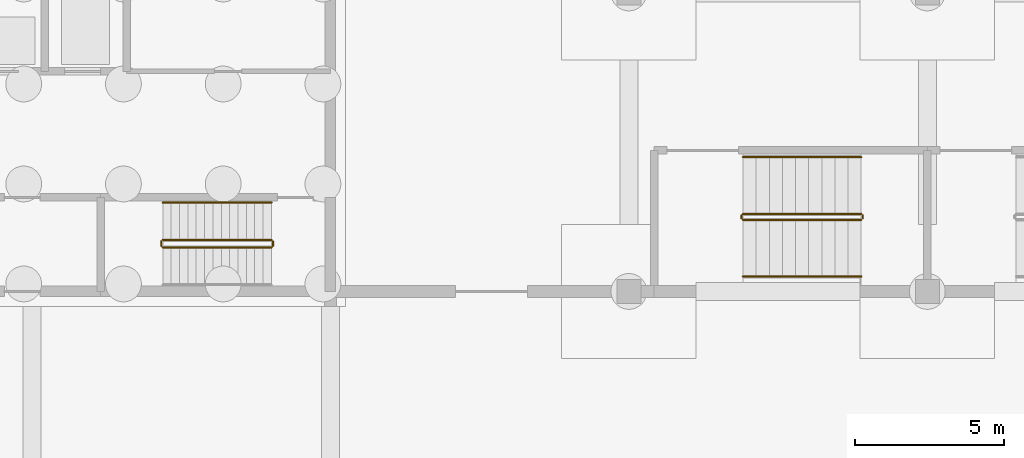
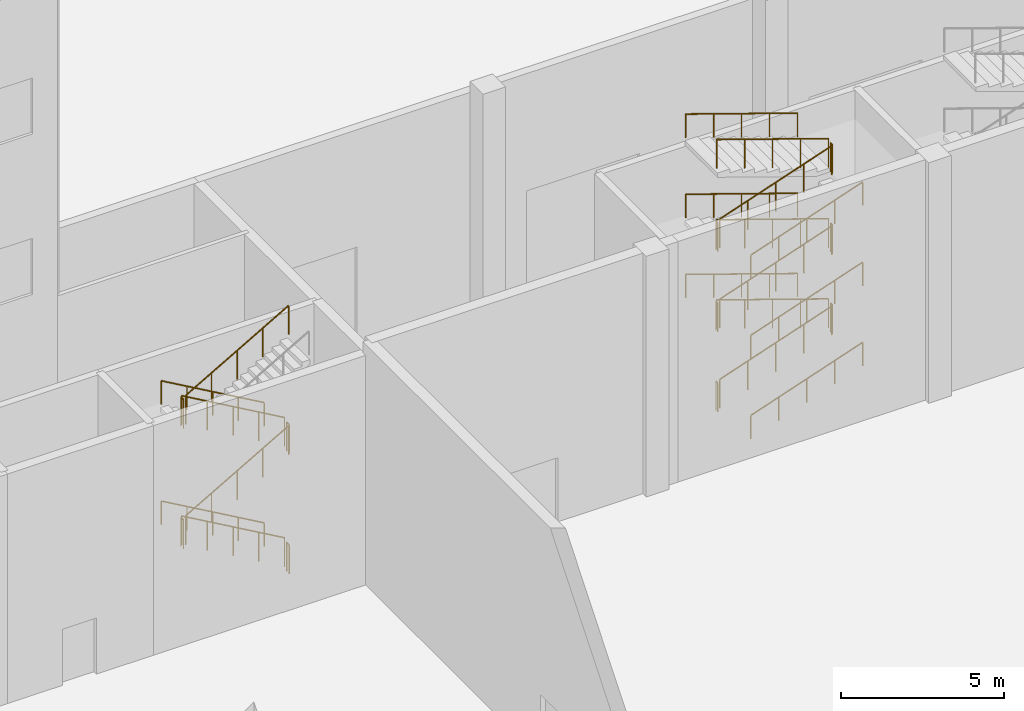
# One storey, part 60 of 63: 28 railings.
"""IFC4 building model written with IfcOpenShell, lengths in metres."""

from ifc_helpers import new_model, si_unit, direction, frame, origin, origin_2d, place, context, subcontext, project, spatial, circle, extrude, material, type_object, element, save


model = new_model("IFC4")

# Units and contexts
model_context = context("Model", 3, precision=1e-05, world=origin(), true_north=direction((0.0, 1.0)))
body_context = subcontext(model_context, "Body", "Model", "MODEL_VIEW")
ifc_project = project(units=[si_unit("LENGTHUNIT", "METRE"), si_unit("AREAUNIT", "SQUARE_METRE"), si_unit("VOLUMEUNIT", "CUBIC_METRE"), si_unit("PLANEANGLEUNIT", "RADIAN"), si_unit("MASSUNIT", "GRAM", prefix="KILO")], contexts=[model_context])

# Site, building, storey
site_placement = place(None, origin())
site = spatial("IfcSite", under=ifc_project, at=site_placement, CompositionType="ELEMENT")
building_placement = place(site_placement, origin())
building = spatial("IfcBuilding", under=site, at=building_placement, Name="Jabali Bay Hotel Tower and Convention Centre", CompositionType="ELEMENT")
storey_placement = place(building_placement, origin())
storey = spatial("IfcBuildingStorey", under=building, at=storey_placement, Name="L00", CompositionType="ELEMENT", Elevation=0.0)

# Railings
ifc_material = material(Name="Stainless steel 304", Category="steel")
railing_type_1 = type_object("IfcRailingType", Name="CC Stair Guard 1100", PredefinedType="GUARDRAIL", material=ifc_material)
railing_1_placement = place(storey_placement, frame((168.72509765625, 101.72509765625, 0.16064453125)))
element("IfcRailing", 1, at=railing_1_placement, inside=storey, type_object=railing_type_1, Name="L00 CC-STWB stair guard 1", PredefinedType="GUARDRAIL", context=body_context, shape_type="SweptSolid", body=[
    extrude(circle(Radius=0.02392578125, at=origin_2d()), frame((0.0, 0.0, 1.076171875), z_axis=(-0.867289372828, 0.0, 0.497804322781), x_axis=(0.0, -1.0, 0.0)), (0.0, 0.0, 1.0), 4.197021484375),
    extrude(circle(Radius=0.02099609375, at=origin_2d()), origin(), (0.0, 0.0, 1.0), 1.052001953125),
    extrude(circle(Radius=0.02099609375, at=origin_2d()), frame((-0.91015625, 0.0, 0.5224609375)), (0.0, 0.0, 1.0), 1.052001953125),
    extrude(circle(Radius=0.02099609375, at=origin_2d()), frame((-1.820068359375, 0.0, 1.044677734375)), (0.0, 0.0, 1.0), 1.052001953125),
    extrude(circle(Radius=0.02099609375, at=origin_2d()), frame((-2.72998046875, 0.0, 1.56689453125)), (0.0, 0.0, 1.0), 1.052001953125),
    extrude(circle(Radius=0.02099609375, at=origin_2d()), frame((-3.64013671875, 0.0, 2.08935546875)), (0.0, 0.0, 1.0), 1.052001953125),
])
railing_2_placement = place(storey_placement, frame((165.034912109375, 101.675048828125, 2.25)))
element("IfcRailing", 2, at=railing_2_placement, inside=storey, type_object=railing_type_1, Name="L00 CC-STWB stair guard 2", PredefinedType="GUARDRAIL", context=body_context, shape_type="SweptSolid", body=[
    extrude(circle(Radius=0.02392578125, at=origin_2d()), frame((0.0, 0.0, 1.076171875), z_axis=(0.0, -1.0, 0.0), x_axis=(1.0, 0.0, 0.0)), (0.0, 0.0, 1.0), 0.150146484375),
    extrude(circle(Radius=0.02099609375, at=origin_2d()), origin(), (0.0, 0.0, 1.0), 1.052001953125),
    extrude(circle(Radius=0.02099609375, at=origin_2d()), frame((0.0, -0.150146484375, 0.0)), (0.0, 0.0, 1.0), 1.052001953125),
])
railing_3_placement = place(storey_placement, frame((165.0849609375, 101.47509765625, 2.41064453125)))
element("IfcRailing", 3, at=railing_3_placement, inside=storey, type_object=railing_type_1, Name="L00 CC-STWB stair guard 3", PredefinedType="GUARDRAIL", context=body_context, shape_type="SweptSolid", body=[
    extrude(circle(Radius=0.02392578125, at=origin_2d()), frame((0.0, 0.0, 1.076171875), z_axis=(0.867289372828, 0.0, 0.497804322781), x_axis=(0.0, 1.0, 0.0)), (0.0, 0.0, 1.0), 4.197021484375),
    extrude(circle(Radius=0.02099609375, at=origin_2d()), origin(), (0.0, 0.0, 1.0), 1.052001953125),
    extrude(circle(Radius=0.02099609375, at=origin_2d()), frame((0.91015625, 0.0, 0.5224609375)), (0.0, 0.0, 1.0), 1.052001953125),
    extrude(circle(Radius=0.02099609375, at=origin_2d()), frame((1.820068359375, 0.0, 1.044677734375)), (0.0, 0.0, 1.0), 1.052001953125),
    extrude(circle(Radius=0.02099609375, at=origin_2d()), frame((2.72998046875, 0.0, 1.56689453125)), (0.0, 0.0, 1.0), 1.052001953125),
    extrude(circle(Radius=0.02099609375, at=origin_2d()), frame((3.64013671875, 0.0, 2.08935546875)), (0.0, 0.0, 1.0), 1.052001953125),
])
railing_4_placement = place(storey_placement, frame((168.77490234375, 101.675048828125, 4.5)))
element("IfcRailing", 4, at=railing_4_placement, inside=storey, type_object=railing_type_1, Name="L00 CC-STWB stair guard 4", PredefinedType="GUARDRAIL", context=body_context, shape_type="SweptSolid", body=[
    extrude(circle(Radius=0.02392578125, at=origin_2d()), frame((0.0, 0.0, 1.076171875), z_axis=(0.0, -1.0, 0.0), x_axis=(1.0, 0.0, 0.0)), (0.0, 0.0, 1.0), 0.150146484375),
    extrude(circle(Radius=0.02099609375, at=origin_2d()), origin(), (0.0, 0.0, 1.0), 1.052001953125),
    extrude(circle(Radius=0.02099609375, at=origin_2d()), frame((0.0, -0.150146484375, 0.0)), (0.0, 0.0, 1.0), 1.052001953125),
])
railing_5_placement = place(storey_placement, frame((168.72509765625, 101.72509765625, 4.66064453125)))
element("IfcRailing", 5, at=railing_5_placement, inside=storey, type_object=railing_type_1, Name="L00 CC-STWB stair guard 5", PredefinedType="GUARDRAIL", context=body_context, shape_type="SweptSolid", body=[
    extrude(circle(Radius=0.02392578125, at=origin_2d()), frame((0.0, 0.0, 1.076171875), z_axis=(-0.867289372828, 0.0, 0.497804322781), x_axis=(0.0, -1.0, 0.0)), (0.0, 0.0, 1.0), 4.197021484375),
    extrude(circle(Radius=0.02099609375, at=origin_2d()), origin(), (0.0, 0.0, 1.0), 1.052001953125),
    extrude(circle(Radius=0.02099609375, at=origin_2d()), frame((-0.91015625, 0.0, 0.5224609375)), (0.0, 0.0, 1.0), 1.052001953125),
    extrude(circle(Radius=0.02099609375, at=origin_2d()), frame((-1.820068359375, 0.0, 1.044677734375)), (0.0, 0.0, 1.0), 1.052001953125),
    extrude(circle(Radius=0.02099609375, at=origin_2d()), frame((-2.72998046875, 0.0, 1.56689453125)), (0.0, 0.0, 1.0), 1.052001953125),
    extrude(circle(Radius=0.02099609375, at=origin_2d()), frame((-3.64013671875, 0.0, 2.08935546875)), (0.0, 0.0, 1.0), 1.052001953125),
])
railing_6_placement = place(storey_placement, frame((165.034912109375, 101.675048828125, 6.75)))
element("IfcRailing", 6, at=railing_6_placement, inside=storey, type_object=railing_type_1, Name="L00 CC-STWB stair guard 6", PredefinedType="GUARDRAIL", context=body_context, shape_type="SweptSolid", body=[
    extrude(circle(Radius=0.02392578125, at=origin_2d()), frame((0.0, 0.0, 1.076171875), z_axis=(0.0, -1.0, 0.0), x_axis=(1.0, 0.0, 0.0)), (0.0, 0.0, 1.0), 0.150146484375),
    extrude(circle(Radius=0.02099609375, at=origin_2d()), origin(), (0.0, 0.0, 1.0), 1.052001953125),
    extrude(circle(Radius=0.02099609375, at=origin_2d()), frame((0.0, -0.150146484375, 0.0)), (0.0, 0.0, 1.0), 1.052001953125),
])
railing_7_placement = place(storey_placement, frame((165.0849609375, 101.47509765625, 6.91064453125)))
element("IfcRailing", 7, at=railing_7_placement, inside=storey, type_object=railing_type_1, Name="L00 CC-STWB stair guard 7", PredefinedType="GUARDRAIL", context=body_context, shape_type="SweptSolid", body=[
    extrude(circle(Radius=0.02392578125, at=origin_2d()), frame((0.0, 0.0, 1.076171875), z_axis=(0.867289372828, 0.0, 0.497804322781), x_axis=(0.0, 1.0, 0.0)), (0.0, 0.0, 1.0), 4.197021484375),
    extrude(circle(Radius=0.02099609375, at=origin_2d()), origin(), (0.0, 0.0, 1.0), 1.052001953125),
    extrude(circle(Radius=0.02099609375, at=origin_2d()), frame((0.91015625, 0.0, 0.5224609375)), (0.0, 0.0, 1.0), 1.052001953125),
    extrude(circle(Radius=0.02099609375, at=origin_2d()), frame((1.820068359375, 0.0, 1.044677734375)), (0.0, 0.0, 1.0), 1.052001953125),
    extrude(circle(Radius=0.02099609375, at=origin_2d()), frame((2.72998046875, 0.0, 1.56689453125)), (0.0, 0.0, 1.0), 1.052001953125),
    extrude(circle(Radius=0.02099609375, at=origin_2d()), frame((3.64013671875, 0.0, 2.08935546875)), (0.0, 0.0, 1.0), 1.052001953125),
])
railing_8_placement = place(storey_placement, frame((168.77490234375, 101.675048828125, 0.0)))
element("IfcRailing", 8, at=railing_8_placement, inside=storey, type_object=railing_type_1, Name="L00 CC-STWB stair guard 8", PredefinedType="GUARDRAIL", context=body_context, shape_type="SweptSolid", body=[
    extrude(circle(Radius=0.02392578125, at=origin_2d()), frame((0.0, 0.0, 1.076171875), z_axis=(0.0, -1.0, 0.0), x_axis=(1.0, 0.0, 0.0)), (0.0, 0.0, 1.0), 0.150146484375),
    extrude(circle(Radius=0.02099609375, at=origin_2d()), origin(), (0.0, 0.0, 1.0), 1.052001953125),
    extrude(circle(Radius=0.02099609375, at=origin_2d()), frame((0.0, -0.150146484375, 0.0)), (0.0, 0.0, 1.0), 1.052001953125),
])
railing_9_placement = place(storey_placement, frame((184.52490234375, 102.39990234375, 0.14990234375)))
element("IfcRailing", 9, at=railing_9_placement, inside=storey, type_object=railing_type_1, Name="L00 CC-STN1 stair guard 1", PredefinedType="GUARDRAIL", context=body_context, shape_type="SweptSolid", body=[
    extrude(circle(Radius=0.02392578125, at=origin_2d()), frame((0.0, 0.0, 1.076171875), z_axis=(0.946508163028, 0.0, 0.322679868168), x_axis=(0.0, 1.0, 0.0)), (0.0, 0.0, 1.0), 4.18408203125),
    extrude(circle(Radius=0.02099609375, at=origin_2d()), origin(), (0.0, 0.0, 1.0), 1.052001953125),
    extrude(circle(Radius=0.02099609375, at=origin_2d()), frame((0.989990234375, 0.0, 0.33740234375)), (0.0, 0.0, 1.0), 1.052001953125),
    extrude(circle(Radius=0.02099609375, at=origin_2d()), frame((1.97998046875, 0.0, 0.675048828125)), (0.0, 0.0, 1.0), 1.052001953125),
    extrude(circle(Radius=0.02099609375, at=origin_2d()), frame((2.97021484375, 0.0, 1.0126953125)), (0.0, 0.0, 1.0), 1.052001953125),
    extrude(circle(Radius=0.02099609375, at=origin_2d()), frame((3.960205078125, 0.0, 1.35009765625)), (0.0, 0.0, 1.0), 1.052001953125),
])
railing_10_placement = place(storey_placement, frame((188.534912109375, 102.449951171875, 1.5)))
element("IfcRailing", 10, at=railing_10_placement, inside=storey, type_object=railing_type_1, Name="L00 CC-STN1 stair guard 2", PredefinedType="GUARDRAIL", context=body_context, shape_type="SweptSolid", body=[
    extrude(circle(Radius=0.02392578125, at=origin_2d()), frame((0.0, 0.0, 1.076171875), z_axis=(0.0, 1.0, 0.0), x_axis=(-1.0, 0.0, 0.0)), (0.0, 0.0, 1.0), 0.10009765625),
    extrude(circle(Radius=0.02099609375, at=origin_2d()), origin(), (0.0, 0.0, 1.0), 1.052001953125),
    extrude(circle(Radius=0.02099609375, at=origin_2d()), frame((0.0, 0.10009765625, 0.0)), (0.0, 0.0, 1.0), 1.052001953125),
])
railing_11_placement = place(storey_placement, frame((188.485107421875, 102.60009765625, 1.64990234375)))
element("IfcRailing", 11, at=railing_11_placement, inside=storey, type_object=railing_type_1, Name="L00 CC-STN1 stair guard 3", PredefinedType="GUARDRAIL", context=body_context, shape_type="SweptSolid", body=[
    extrude(circle(Radius=0.02392578125, at=origin_2d()), frame((0.0, 0.0, 1.076171875), z_axis=(-0.946508163028, 0.0, 0.322679868168), x_axis=(0.0, -1.0, 0.0)), (0.0, 0.0, 1.0), 4.18408203125),
    extrude(circle(Radius=0.02099609375, at=origin_2d()), origin(), (0.0, 0.0, 1.0), 1.052001953125),
    extrude(circle(Radius=0.02099609375, at=origin_2d()), frame((-0.989990234375, 0.0, 0.33740234375)), (0.0, 0.0, 1.0), 1.052001953125),
    extrude(circle(Radius=0.02099609375, at=origin_2d()), frame((-1.97998046875, 0.0, 0.675048828125)), (0.0, 0.0, 1.0), 1.052001953125),
    extrude(circle(Radius=0.02099609375, at=origin_2d()), frame((-2.97021484375, 0.0, 1.0126953125)), (0.0, 0.0, 1.0), 1.052001953125),
    extrude(circle(Radius=0.02099609375, at=origin_2d()), frame((-3.960205078125, 0.0, 1.35009765625)), (0.0, 0.0, 1.0), 1.052001953125),
])
railing_12_placement = place(storey_placement, frame((184.47509765625, 102.449951171875, 3.0)))
element("IfcRailing", 12, at=railing_12_placement, inside=storey, type_object=railing_type_1, Name="L00 CC-STN1 stair guard 4", PredefinedType="GUARDRAIL", context=body_context, shape_type="SweptSolid", body=[
    extrude(circle(Radius=0.02392578125, at=origin_2d()), frame((0.0, 0.0, 1.076171875), z_axis=(0.0, 1.0, 0.0), x_axis=(-1.0, 0.0, 0.0)), (0.0, 0.0, 1.0), 0.10009765625),
    extrude(circle(Radius=0.02099609375, at=origin_2d()), origin(), (0.0, 0.0, 1.0), 1.052001953125),
    extrude(circle(Radius=0.02099609375, at=origin_2d()), frame((0.0, 0.10009765625, 0.0)), (0.0, 0.0, 1.0), 1.052001953125),
])
railing_13_placement = place(storey_placement, frame((184.52490234375, 102.39990234375, 3.14990234375)))
element("IfcRailing", 13, at=railing_13_placement, inside=storey, type_object=railing_type_1, Name="L00 CC-STN1 stair guard 5", PredefinedType="GUARDRAIL", context=body_context, shape_type="SweptSolid", body=[
    extrude(circle(Radius=0.02392578125, at=origin_2d()), frame((0.0, 0.0, 1.076171875), z_axis=(0.946508163028, 0.0, 0.322679868168), x_axis=(0.0, 1.0, 0.0)), (0.0, 0.0, 1.0), 4.18408203125),
    extrude(circle(Radius=0.02099609375, at=origin_2d()), origin(), (0.0, 0.0, 1.0), 1.052001953125),
    extrude(circle(Radius=0.02099609375, at=origin_2d()), frame((0.989990234375, 0.0, 0.33740234375)), (0.0, 0.0, 1.0), 1.052001953125),
    extrude(circle(Radius=0.02099609375, at=origin_2d()), frame((1.97998046875, 0.0, 0.675048828125)), (0.0, 0.0, 1.0), 1.052001953125),
    extrude(circle(Radius=0.02099609375, at=origin_2d()), frame((2.97021484375, 0.0, 1.0126953125)), (0.0, 0.0, 1.0), 1.052001953125),
    extrude(circle(Radius=0.02099609375, at=origin_2d()), frame((3.960205078125, 0.0, 1.35009765625)), (0.0, 0.0, 1.0), 1.052001953125),
])
railing_14_placement = place(storey_placement, frame((188.534912109375, 102.449951171875, 4.5)))
element("IfcRailing", 14, at=railing_14_placement, inside=storey, type_object=railing_type_1, Name="L00 CC-STN1 stair guard 6", PredefinedType="GUARDRAIL", context=body_context, shape_type="SweptSolid", body=[
    extrude(circle(Radius=0.02392578125, at=origin_2d()), frame((0.0, 0.0, 1.076171875), z_axis=(0.0, 1.0, 0.0), x_axis=(-1.0, 0.0, 0.0)), (0.0, 0.0, 1.0), 0.10009765625),
    extrude(circle(Radius=0.02099609375, at=origin_2d()), origin(), (0.0, 0.0, 1.0), 1.052001953125),
    extrude(circle(Radius=0.02099609375, at=origin_2d()), frame((0.0, 0.10009765625, 0.0)), (0.0, 0.0, 1.0), 1.052001953125),
])
railing_15_placement = place(storey_placement, frame((188.485107421875, 102.60009765625, 4.64990234375)))
element("IfcRailing", 15, at=railing_15_placement, inside=storey, type_object=railing_type_1, Name="L00 CC-STN1 stair guard 7", PredefinedType="GUARDRAIL", context=body_context, shape_type="SweptSolid", body=[
    extrude(circle(Radius=0.02392578125, at=origin_2d()), frame((0.0, 0.0, 1.076171875), z_axis=(-0.946508163028, 0.0, 0.322679868168), x_axis=(0.0, -1.0, 0.0)), (0.0, 0.0, 1.0), 4.18408203125),
    extrude(circle(Radius=0.02099609375, at=origin_2d()), origin(), (0.0, 0.0, 1.0), 1.052001953125),
    extrude(circle(Radius=0.02099609375, at=origin_2d()), frame((-0.989990234375, 0.0, 0.33740234375)), (0.0, 0.0, 1.0), 1.052001953125),
    extrude(circle(Radius=0.02099609375, at=origin_2d()), frame((-1.97998046875, 0.0, 0.675048828125)), (0.0, 0.0, 1.0), 1.052001953125),
    extrude(circle(Radius=0.02099609375, at=origin_2d()), frame((-2.97021484375, 0.0, 1.0126953125)), (0.0, 0.0, 1.0), 1.052001953125),
    extrude(circle(Radius=0.02099609375, at=origin_2d()), frame((-3.960205078125, 0.0, 1.35009765625)), (0.0, 0.0, 1.0), 1.052001953125),
])
railing_16_placement = place(storey_placement, frame((184.47509765625, 102.449951171875, 6.0)))
element("IfcRailing", 16, at=railing_16_placement, inside=storey, type_object=railing_type_1, Name="L00 CC-STN1 stair guard 8", PredefinedType="GUARDRAIL", context=body_context, shape_type="SweptSolid", body=[
    extrude(circle(Radius=0.02392578125, at=origin_2d()), frame((0.0, 0.0, 1.076171875), z_axis=(0.0, 1.0, 0.0), x_axis=(-1.0, 0.0, 0.0)), (0.0, 0.0, 1.0), 0.10009765625),
    extrude(circle(Radius=0.02099609375, at=origin_2d()), origin(), (0.0, 0.0, 1.0), 1.052001953125),
    extrude(circle(Radius=0.02099609375, at=origin_2d()), frame((0.0, 0.10009765625, 0.0)), (0.0, 0.0, 1.0), 1.052001953125),
])
railing_17_placement = place(storey_placement, frame((184.52490234375, 102.39990234375, 6.14990234375)))
element("IfcRailing", 17, at=railing_17_placement, inside=storey, type_object=railing_type_1, Name="L00 CC-STN1 stair guard 9", PredefinedType="GUARDRAIL", context=body_context, shape_type="SweptSolid", body=[
    extrude(circle(Radius=0.02392578125, at=origin_2d()), frame((0.0, 0.0, 1.076171875), z_axis=(0.946508163028, 0.0, 0.322679868168), x_axis=(0.0, 1.0, 0.0)), (0.0, 0.0, 1.0), 4.18408203125),
    extrude(circle(Radius=0.02099609375, at=origin_2d()), origin(), (0.0, 0.0, 1.0), 1.052001953125),
    extrude(circle(Radius=0.02099609375, at=origin_2d()), frame((0.989990234375, 0.0, 0.33740234375)), (0.0, 0.0, 1.0), 1.052001953125),
    extrude(circle(Radius=0.02099609375, at=origin_2d()), frame((1.97998046875, 0.0, 0.675048828125)), (0.0, 0.0, 1.0), 1.052001953125),
    extrude(circle(Radius=0.02099609375, at=origin_2d()), frame((2.97021484375, 0.0, 1.0126953125)), (0.0, 0.0, 1.0), 1.052001953125),
    extrude(circle(Radius=0.02099609375, at=origin_2d()), frame((3.960205078125, 0.0, 1.35009765625)), (0.0, 0.0, 1.0), 1.052001953125),
])
railing_18_placement = place(storey_placement, frame((188.534912109375, 102.449951171875, 7.5)))
element("IfcRailing", 18, at=railing_18_placement, inside=storey, type_object=railing_type_1, Name="L00 CC-STN1 stair guard 10", PredefinedType="GUARDRAIL", context=body_context, shape_type="SweptSolid", body=[
    extrude(circle(Radius=0.02392578125, at=origin_2d()), frame((0.0, 0.0, 1.076171875), z_axis=(0.0, 1.0, 0.0), x_axis=(-1.0, 0.0, 0.0)), (0.0, 0.0, 1.0), 0.10009765625),
    extrude(circle(Radius=0.02099609375, at=origin_2d()), origin(), (0.0, 0.0, 1.0), 1.052001953125),
    extrude(circle(Radius=0.02099609375, at=origin_2d()), frame((0.0, 0.10009765625, 0.0)), (0.0, 0.0, 1.0), 1.052001953125),
])
railing_19_placement = place(storey_placement, frame((188.485107421875, 102.60009765625, 7.64990234375)))
element("IfcRailing", 19, at=railing_19_placement, inside=storey, type_object=railing_type_1, Name="L00 CC-STN1 stair guard 11", PredefinedType="GUARDRAIL", context=body_context, shape_type="SweptSolid", body=[
    extrude(circle(Radius=0.02392578125, at=origin_2d()), frame((0.0, 0.0, 1.076171875), z_axis=(-0.946508163028, 0.0, 0.322679868168), x_axis=(0.0, -1.0, 0.0)), (0.0, 0.0, 1.0), 4.18408203125),
    extrude(circle(Radius=0.02099609375, at=origin_2d()), origin(), (0.0, 0.0, 1.0), 1.052001953125),
    extrude(circle(Radius=0.02099609375, at=origin_2d()), frame((-0.989990234375, 0.0, 0.33740234375)), (0.0, 0.0, 1.0), 1.052001953125),
    extrude(circle(Radius=0.02099609375, at=origin_2d()), frame((-1.97998046875, 0.0, 0.675048828125)), (0.0, 0.0, 1.0), 1.052001953125),
    extrude(circle(Radius=0.02099609375, at=origin_2d()), frame((-2.97021484375, 0.0, 1.0126953125)), (0.0, 0.0, 1.0), 1.052001953125),
    extrude(circle(Radius=0.02099609375, at=origin_2d()), frame((-3.960205078125, 0.0, 1.35009765625)), (0.0, 0.0, 1.0), 1.052001953125),
])
railing_20_placement = place(storey_placement, frame((184.47509765625, 102.449951171875, 0.0)))
element("IfcRailing", 20, at=railing_20_placement, inside=storey, type_object=railing_type_1, Name="L00 CC-STN1 stair guard 12", PredefinedType="GUARDRAIL", context=body_context, shape_type="SweptSolid", body=[
    extrude(circle(Radius=0.02392578125, at=origin_2d()), frame((0.0, 0.0, 1.076171875), z_axis=(0.0, 1.0, 0.0), x_axis=(-1.0, 0.0, 0.0)), (0.0, 0.0, 1.0), 0.10009765625),
    extrude(circle(Radius=0.02099609375, at=origin_2d()), origin(), (0.0, 0.0, 1.0), 1.052001953125),
    extrude(circle(Radius=0.02099609375, at=origin_2d()), frame((0.0, 0.10009765625, 0.0)), (0.0, 0.0, 1.0), 1.052001953125),
])
railing_type_2 = type_object("IfcRailingType", Name="CC Stair Handrail 900", PredefinedType="HANDRAIL", material=ifc_material)
for number, where, name in (
    (21, (168.72509765625, 102.97509765625, 0.16064453125), "L00 CC-STWB stair handrail 1"),
    (22, (168.72509765625, 102.97509765625, 4.66064453125), "L00 CC-STWB stair handrail 3"),
):
    element("IfcRailing", number, at=place(storey_placement, frame(where)), inside=storey, type_object=railing_type_2, Name=name, PredefinedType="HANDRAIL", context=body_context, shape_type="SweptSolid", body=[
        extrude(circle(Radius=0.02392578125, at=origin_2d()), frame((0.0, 0.0, 0.8759765625), z_axis=(-0.867289372828, 0.0, 0.497804322781), x_axis=(0.0, -1.0, 0.0)), (0.0, 0.0, 1.0), 4.197021484375),
        extrude(circle(Radius=0.02099609375, at=origin_2d()), origin(), (0.0, 0.0, 1.0), 0.851806640625),
        extrude(circle(Radius=0.02099609375, at=origin_2d()), frame((-0.91015625, 0.0, 0.5224609375)), (0.0, 0.0, 1.0), 0.851806640625),
        extrude(circle(Radius=0.02099609375, at=origin_2d()), frame((-1.820068359375, 0.0, 1.044677734375)), (0.0, 0.0, 1.0), 0.851806640625),
        extrude(circle(Radius=0.02099609375, at=origin_2d()), frame((-2.72998046875, 0.0, 1.56689453125)), (0.0, 0.0, 1.0), 0.851806640625),
        extrude(circle(Radius=0.02099609375, at=origin_2d()), frame((-3.64013671875, 0.0, 2.08935546875)), (0.0, 0.0, 1.0), 0.851806640625),
    ])
railing_21_placement = place(storey_placement, frame((184.52490234375, 100.5, 0.14990234375)))
element("IfcRailing", 23, at=railing_21_placement, inside=storey, type_object=railing_type_2, Name="L00 CC-STN1 stair handrail 1", PredefinedType="HANDRAIL", context=body_context, shape_type="SweptSolid", body=[
    extrude(circle(Radius=0.02392578125, at=origin_2d()), frame((0.0, 0.0, 0.8759765625), z_axis=(0.946508163028, 0.0, 0.322679868168), x_axis=(0.0, 1.0, 0.0)), (0.0, 0.0, 1.0), 4.18408203125),
    extrude(circle(Radius=0.02099609375, at=origin_2d()), origin(), (0.0, 0.0, 1.0), 0.851806640625),
    extrude(circle(Radius=0.02099609375, at=origin_2d()), frame((0.989990234375, 0.0, 0.33740234375)), (0.0, 0.0, 1.0), 0.851806640625),
    extrude(circle(Radius=0.02099609375, at=origin_2d()), frame((1.97998046875, 0.0, 0.675048828125)), (0.0, 0.0, 1.0), 0.851806640625),
    extrude(circle(Radius=0.02099609375, at=origin_2d()), frame((2.97021484375, 0.0, 1.0126953125)), (0.0, 0.0, 1.0), 0.851806640625),
    extrude(circle(Radius=0.02099609375, at=origin_2d()), frame((3.960205078125, 0.0, 1.35009765625)), (0.0, 0.0, 1.0), 0.851806640625),
])
railing_22_placement = place(storey_placement, frame((188.485107421875, 104.5, 1.64990234375)))
element("IfcRailing", 24, at=railing_22_placement, inside=storey, type_object=railing_type_2, Name="L00 CC-STN1 stair handrail 2", PredefinedType="HANDRAIL", context=body_context, shape_type="SweptSolid", body=[
    extrude(circle(Radius=0.02392578125, at=origin_2d()), frame((0.0, 0.0, 0.8759765625), z_axis=(-0.946508163028, 0.0, 0.322679868168), x_axis=(0.0, -1.0, 0.0)), (0.0, 0.0, 1.0), 4.18408203125),
    extrude(circle(Radius=0.02099609375, at=origin_2d()), origin(), (0.0, 0.0, 1.0), 0.851806640625),
    extrude(circle(Radius=0.02099609375, at=origin_2d()), frame((-0.989990234375, 0.0, 0.33740234375)), (0.0, 0.0, 1.0), 0.851806640625),
    extrude(circle(Radius=0.02099609375, at=origin_2d()), frame((-1.97998046875, 0.0, 0.675048828125)), (0.0, 0.0, 1.0), 0.851806640625),
    extrude(circle(Radius=0.02099609375, at=origin_2d()), frame((-2.97021484375, 0.0, 1.0126953125)), (0.0, 0.0, 1.0), 0.851806640625),
    extrude(circle(Radius=0.02099609375, at=origin_2d()), frame((-3.960205078125, 0.0, 1.35009765625)), (0.0, 0.0, 1.0), 0.851806640625),
])
railing_23_placement = place(storey_placement, frame((184.52490234375, 100.5, 3.14990234375)))
element("IfcRailing", 25, at=railing_23_placement, inside=storey, type_object=railing_type_2, Name="L00 CC-STN1 stair handrail 3", PredefinedType="HANDRAIL", context=body_context, shape_type="SweptSolid", body=[
    extrude(circle(Radius=0.02392578125, at=origin_2d()), frame((0.0, 0.0, 0.8759765625), z_axis=(0.946508163028, 0.0, 0.322679868168), x_axis=(0.0, 1.0, 0.0)), (0.0, 0.0, 1.0), 4.18408203125),
    extrude(circle(Radius=0.02099609375, at=origin_2d()), origin(), (0.0, 0.0, 1.0), 0.851806640625),
    extrude(circle(Radius=0.02099609375, at=origin_2d()), frame((0.989990234375, 0.0, 0.33740234375)), (0.0, 0.0, 1.0), 0.851806640625),
    extrude(circle(Radius=0.02099609375, at=origin_2d()), frame((1.97998046875, 0.0, 0.675048828125)), (0.0, 0.0, 1.0), 0.851806640625),
    extrude(circle(Radius=0.02099609375, at=origin_2d()), frame((2.97021484375, 0.0, 1.0126953125)), (0.0, 0.0, 1.0), 0.851806640625),
    extrude(circle(Radius=0.02099609375, at=origin_2d()), frame((3.960205078125, 0.0, 1.35009765625)), (0.0, 0.0, 1.0), 0.851806640625),
])
railing_24_placement = place(storey_placement, frame((188.485107421875, 104.5, 4.64990234375)))
element("IfcRailing", 26, at=railing_24_placement, inside=storey, type_object=railing_type_2, Name="L00 CC-STN1 stair handrail 4", PredefinedType="HANDRAIL", context=body_context, shape_type="SweptSolid", body=[
    extrude(circle(Radius=0.02392578125, at=origin_2d()), frame((0.0, 0.0, 0.8759765625), z_axis=(-0.946508163028, 0.0, 0.322679868168), x_axis=(0.0, -1.0, 0.0)), (0.0, 0.0, 1.0), 4.18408203125),
    extrude(circle(Radius=0.02099609375, at=origin_2d()), origin(), (0.0, 0.0, 1.0), 0.851806640625),
    extrude(circle(Radius=0.02099609375, at=origin_2d()), frame((-0.989990234375, 0.0, 0.33740234375)), (0.0, 0.0, 1.0), 0.851806640625),
    extrude(circle(Radius=0.02099609375, at=origin_2d()), frame((-1.97998046875, 0.0, 0.675048828125)), (0.0, 0.0, 1.0), 0.851806640625),
    extrude(circle(Radius=0.02099609375, at=origin_2d()), frame((-2.97021484375, 0.0, 1.0126953125)), (0.0, 0.0, 1.0), 0.851806640625),
    extrude(circle(Radius=0.02099609375, at=origin_2d()), frame((-3.960205078125, 0.0, 1.35009765625)), (0.0, 0.0, 1.0), 0.851806640625),
])
railing_25_placement = place(storey_placement, frame((184.52490234375, 100.5, 6.14990234375)))
element("IfcRailing", 27, at=railing_25_placement, inside=storey, type_object=railing_type_2, Name="L00 CC-STN1 stair handrail 5", PredefinedType="HANDRAIL", context=body_context, shape_type="SweptSolid", body=[
    extrude(circle(Radius=0.02392578125, at=origin_2d()), frame((0.0, 0.0, 0.8759765625), z_axis=(0.946508163028, 0.0, 0.322679868168), x_axis=(0.0, 1.0, 0.0)), (0.0, 0.0, 1.0), 4.18408203125),
    extrude(circle(Radius=0.02099609375, at=origin_2d()), origin(), (0.0, 0.0, 1.0), 0.851806640625),
    extrude(circle(Radius=0.02099609375, at=origin_2d()), frame((0.989990234375, 0.0, 0.33740234375)), (0.0, 0.0, 1.0), 0.851806640625),
    extrude(circle(Radius=0.02099609375, at=origin_2d()), frame((1.97998046875, 0.0, 0.675048828125)), (0.0, 0.0, 1.0), 0.851806640625),
    extrude(circle(Radius=0.02099609375, at=origin_2d()), frame((2.97021484375, 0.0, 1.0126953125)), (0.0, 0.0, 1.0), 0.851806640625),
    extrude(circle(Radius=0.02099609375, at=origin_2d()), frame((3.960205078125, 0.0, 1.35009765625)), (0.0, 0.0, 1.0), 0.851806640625),
])
railing_26_placement = place(storey_placement, frame((188.485107421875, 104.5, 7.64990234375)))
element("IfcRailing", 28, at=railing_26_placement, inside=storey, type_object=railing_type_2, Name="L00 CC-STN1 stair handrail 6", PredefinedType="HANDRAIL", context=body_context, shape_type="SweptSolid", body=[
    extrude(circle(Radius=0.02392578125, at=origin_2d()), frame((0.0, 0.0, 0.8759765625), z_axis=(-0.946508163028, 0.0, 0.322679868168), x_axis=(0.0, -1.0, 0.0)), (0.0, 0.0, 1.0), 4.18408203125),
    extrude(circle(Radius=0.02099609375, at=origin_2d()), origin(), (0.0, 0.0, 1.0), 0.851806640625),
    extrude(circle(Radius=0.02099609375, at=origin_2d()), frame((-0.989990234375, 0.0, 0.33740234375)), (0.0, 0.0, 1.0), 0.851806640625),
    extrude(circle(Radius=0.02099609375, at=origin_2d()), frame((-1.97998046875, 0.0, 0.675048828125)), (0.0, 0.0, 1.0), 0.851806640625),
    extrude(circle(Radius=0.02099609375, at=origin_2d()), frame((-2.97021484375, 0.0, 1.0126953125)), (0.0, 0.0, 1.0), 0.851806640625),
    extrude(circle(Radius=0.02099609375, at=origin_2d()), frame((-3.960205078125, 0.0, 1.35009765625)), (0.0, 0.0, 1.0), 0.851806640625),
])

save(model, "model.ifc")
